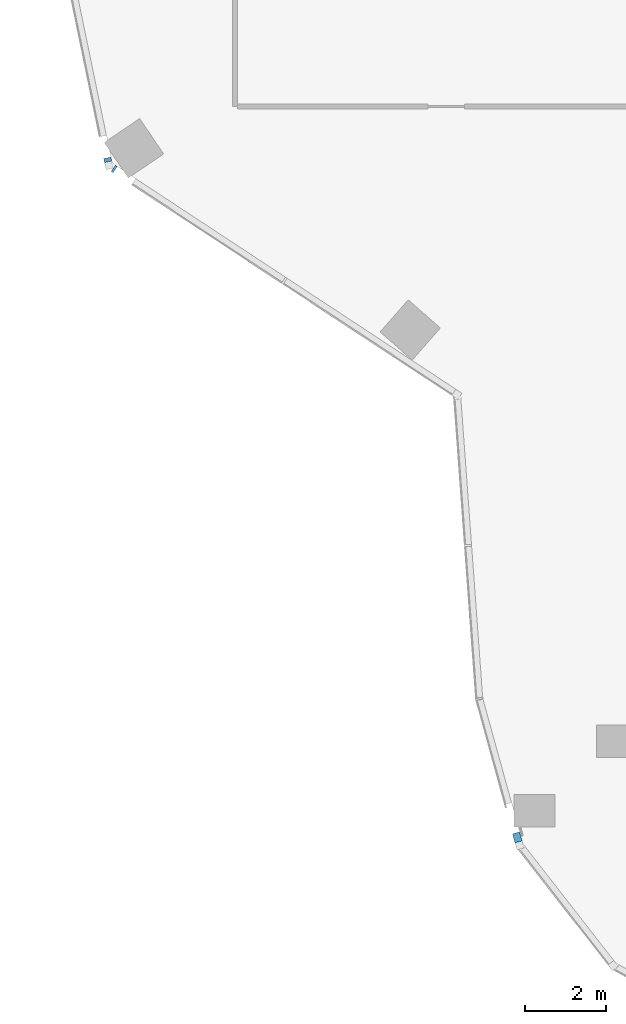
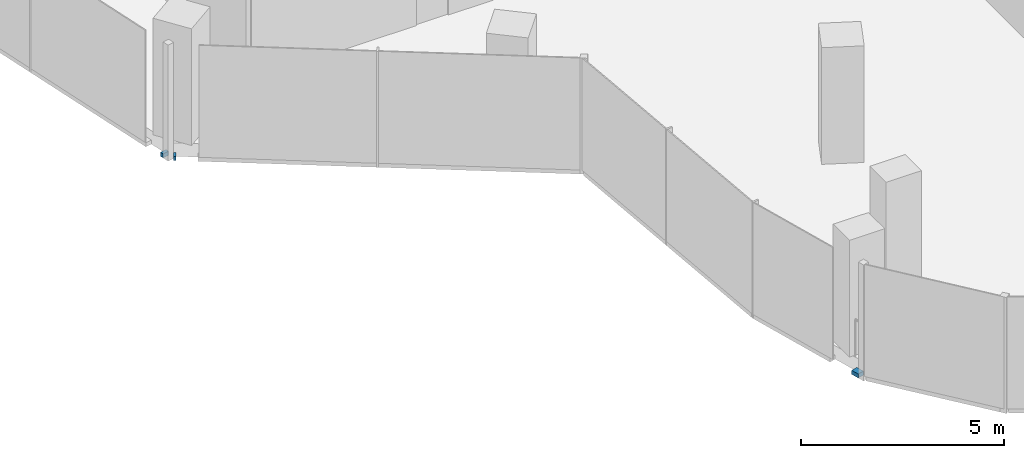
# One storey, part 12 of 24: 3 members, 3 elements without a shape of their own.
"""IFC4 building model written with IfcOpenShell, lengths in metres."""

from ifc_helpers import new_model, si_unit, direction, frame, origin, origin_2d, place, context, subcontext, project, spatial, rectangle, extrude, material, material_profile, profile_set, type_object, element, aggregate, save


model = new_model("IFC4")

# Units and contexts
model_context = context("Model", 3, precision=1e-05, world=origin(), true_north=direction((0.0, 1.0)))
body_context = subcontext(model_context, "Body", "Model", "MODEL_VIEW")
ifc_project = project(units=[si_unit("LENGTHUNIT", "METRE"), si_unit("AREAUNIT", "SQUARE_METRE"), si_unit("VOLUMEUNIT", "CUBIC_METRE"), si_unit("PLANEANGLEUNIT", "RADIAN"), si_unit("MASSUNIT", "GRAM", prefix="KILO")], contexts=[model_context])

# Site, building, storey
site_placement = place(None, origin())
site = spatial("IfcSite", under=ifc_project, at=site_placement, CompositionType="ELEMENT")
building_placement = place(site_placement, origin())
building = spatial("IfcBuilding", under=site, at=building_placement, Name="Orlundy Tower", CompositionType="ELEMENT")
storey_placement = place(building_placement, frame((0.0, 0.0, 246.0)))
storey = spatial("IfcBuildingStorey", under=building, at=storey_placement, Name="L65", CompositionType="ELEMENT", Elevation=246.0)

# Curtain wall, member
ifc_material_1 = material(Name="Aluminium bronze anodised", Category="aluminium")
curtain_wall_type = type_object("IfcCurtainWallType", Name="CW1 wall", PredefinedType="NOTDEFINED", material=ifc_material_1)
curtain_wall_1_placement = place(storey_placement, origin())
curtain_wall_1 = element("IfcCurtainWall", 1, at=curtain_wall_1_placement, inside=storey, type_object=curtain_wall_type, Name="CW1 run 011", PredefinedType="NOTDEFINED")
ifc_material_2 = material(Name="Aluminium bronze anodised", Category="aluminium")
ifc_material_profile = material_profile(ifc_material_2, rectangle(XDim=0.179931640625, YDim=0.1201171875, at=origin_2d()), Name="CW1 transom 180x120")
ifc_profile_set = profile_set([ifc_material_profile], Name="Aluminium bronze anodised")
member_type = type_object("IfcMemberType", Name="CW1 transom 180x120", PredefinedType="USERDEFINED", material=ifc_profile_set)
member_1_placement = place(storey_placement, frame((-16.887939453125, -34.9013671875, -0.340087890625), z_axis=(-0.265928998126, 0.963992618206, 0.0), x_axis=(-0.963992618206, -0.265928998126, 0.0)))
member_1 = element("IfcMember", 2, at=member_1_placement, type_object=member_type, Name="CW1 transom", ObjectType="TRANSOM", PredefinedType="USERDEFINED", context=body_context, shape_type="SweptSolid", body=[
    extrude(rectangle(XDim=0.179931640625, YDim=0.1201171875, at=origin_2d()), origin(), (0.0, 0.0, 1.0), 0.227783203125),
])
aggregate(curtain_wall_1, [member_1])

curtain_wall_2_placement = place(storey_placement, origin())
curtain_wall_2 = element("IfcCurtainWall", 3, at=curtain_wall_2_placement, inside=storey, type_object=curtain_wall_type, Name="CW1 run 013", PredefinedType="NOTDEFINED")
member_2_placement = place(storey_placement, frame((-26.791015625, -18.393798828125, -0.340087890625), z_axis=(-0.834534900389, 0.550955079868, 0.0), x_axis=(-0.550955079868, -0.834534900389, 0.0)))
member_2 = element("IfcMember", 4, at=member_2_placement, type_object=member_type, Name="CW1 transom", ObjectType="TRANSOM", PredefinedType="USERDEFINED", context=body_context, shape_type="SweptSolid", body=[
    extrude(rectangle(XDim=0.179931640625, YDim=0.1201171875, at=origin_2d()), origin(), (0.0, 0.0, 1.0), 0.060302734375),
])
aggregate(curtain_wall_2, [member_2])

curtain_wall_3_placement = place(storey_placement, origin())
curtain_wall_3 = element("IfcCurtainWall", 5, at=curtain_wall_3_placement, inside=storey, type_object=curtain_wall_type, Name="CW1 run 014", PredefinedType="NOTDEFINED")
member_3_placement = place(storey_placement, frame((-26.9658203125, -18.20263671875, -0.340087890625), z_axis=(-0.202854035669, 0.979208986995, 0.0), x_axis=(-0.979208986995, -0.202854035669, 0.0)))
member_3 = element("IfcMember", 6, at=member_3_placement, type_object=member_type, Name="CW1 transom", ObjectType="TRANSOM", PredefinedType="USERDEFINED", context=body_context, shape_type="SweptSolid", body=[
    extrude(rectangle(XDim=0.179931640625, YDim=0.1201171875, at=origin_2d()), origin(), (0.0, 0.0, 1.0), 0.097412109375),
])
aggregate(curtain_wall_3, [member_3])

save(model, "model.ifc")
